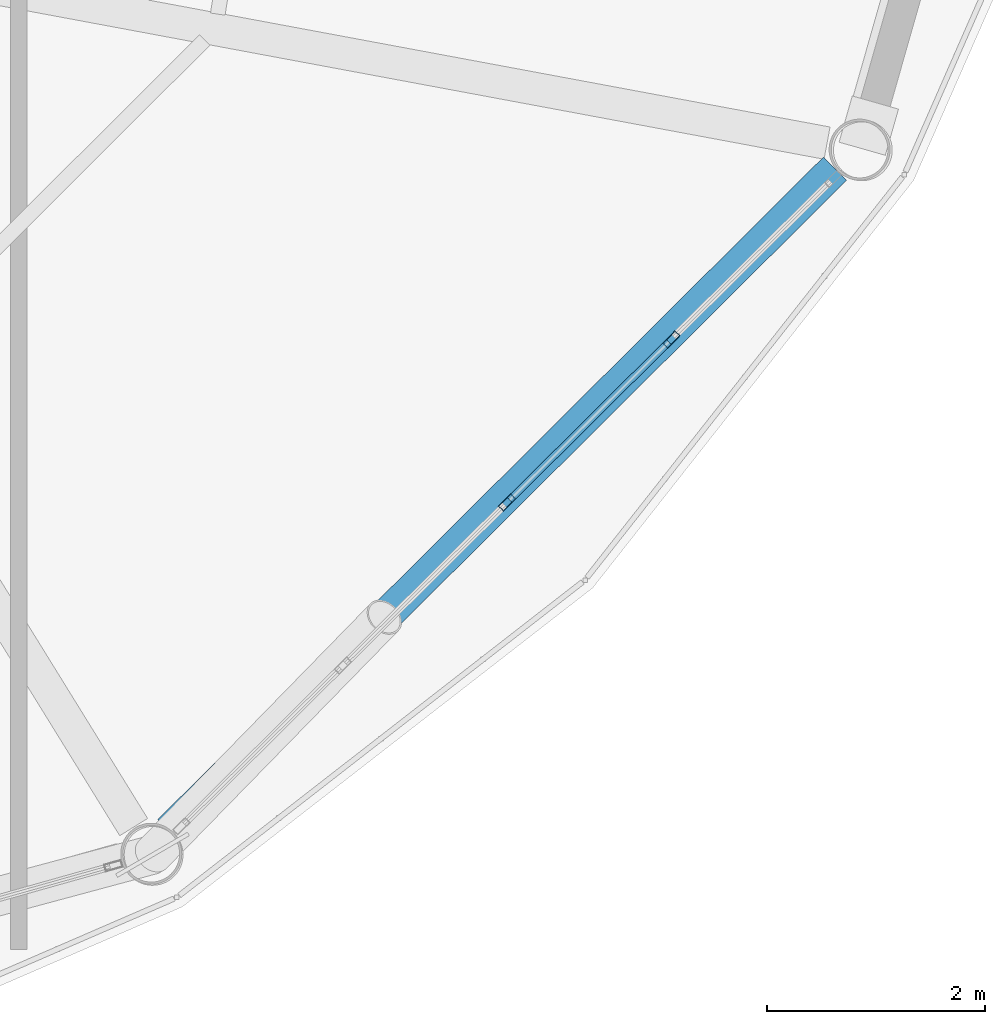
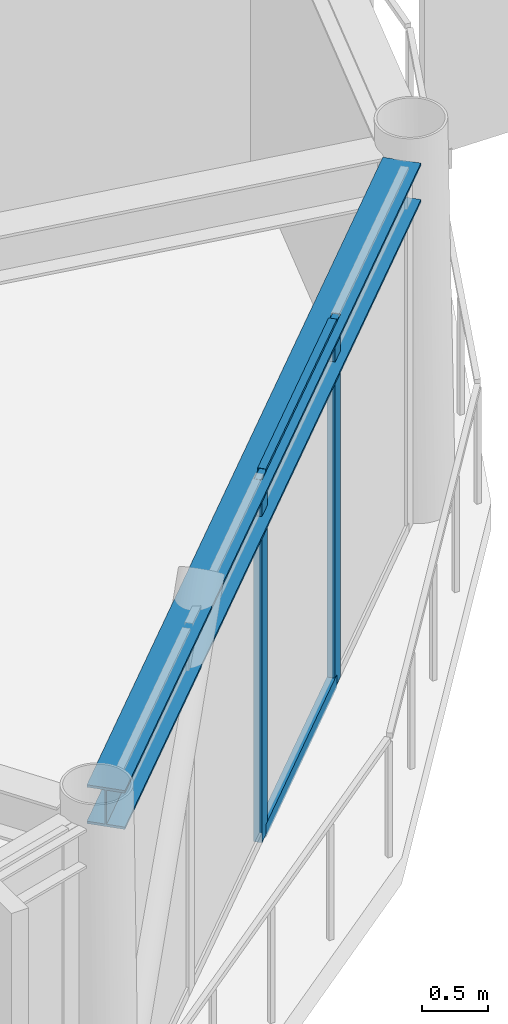
# One storey, part 8 of 24: 4 members, 1 beam, 1 element without a shape of its own.
"""IFC4 building model written with IfcOpenShell, lengths in metres."""

from ifc_helpers import new_model, si_unit, direction, frame, origin, origin_2d, place, context, subcontext, project, spatial, hollow_rectangle, i_section, extrude, material, layer, layer_set, material_profile, profile_set, type_object, element, aggregate, save


model = new_model("IFC4")

# Units and contexts
model_context = context("Model", 3, precision=1e-05, world=origin(), true_north=direction((0.0, 1.0)))
body_context = subcontext(model_context, "Body", "Model", "MODEL_VIEW")
ifc_project = project(units=[si_unit("LENGTHUNIT", "METRE"), si_unit("AREAUNIT", "SQUARE_METRE"), si_unit("VOLUMEUNIT", "CUBIC_METRE"), si_unit("PLANEANGLEUNIT", "RADIAN"), si_unit("MASSUNIT", "GRAM", prefix="KILO")], contexts=[model_context])

# Site, building, storey
site_placement = place(None, origin())
site = spatial("IfcSite", under=ifc_project, at=site_placement, CompositionType="ELEMENT")
building_placement = place(site_placement, origin())
building = spatial("IfcBuilding", under=site, at=building_placement, Name="Varnakorn Sky Granary", CompositionType="ELEMENT")
storey_placement = place(building_placement, frame((0.0, 0.0, 281.39990234375)))
storey = spatial("IfcBuildingStorey", under=building, at=storey_placement, Name="L72", CompositionType="ELEMENT", Elevation=281.39990234375)

# Beam
ifc_material_1 = material(Name="Steel S355JR", Category="steel")
ifc_material_profile_1 = material_profile(ifc_material_1, i_section(OverallWidth=0.300048828125, OverallDepth=0.360107421875, WebThickness=0.012451171875, FlangeThickness=0.0224609375, at=origin_2d()), Name="HE 360 B")
ifc_profile_set_1 = profile_set([ifc_material_profile_1], Name="Steel S355JR")
beam_type = type_object("IfcBeamType", Name="BM-SPD-Z5", PredefinedType="SPANDREL", material=ifc_profile_set_1)
beam_placement = place(storey_placement, frame((13.87890625, -15.0546875, 3.18017578125), z_axis=(0.708779192031, 0.705430405458, 0.0), x_axis=(-0.705430405458, 0.708779192031, 0.0)))
element("IfcBeam", 1, at=beam_placement, inside=storey, type_object=beam_type, Name="Perimeter Spandrel Ring Beam RB11 L72", PredefinedType="SPANDREL", context=body_context, shape_type="SweptSolid", body=[
    extrude(i_section(OverallWidth=0.300048828125, OverallDepth=0.360107421875, WebThickness=0.012451171875, FlangeThickness=0.0224609375, at=origin_2d()), origin(), (0.0, 0.0, 1.0), 8.602783203125),
])

# Curtain wall, members
ifc_material_2 = material(Name="Anodised Bronze Aluminium Alloy 6063-T6", Category="aluminium")
ifc_layer = layer(ifc_material_2, 0.159912109375, Name="Anodised Bronze Aluminium Alloy 6063-T6")
ifc_layer_set = layer_set([ifc_layer], Name="Anodised Bronze Aluminium Alloy 6063-T6")
curtain_wall_type = type_object("IfcCurtainWallType", Name="CW-OFF-1", PredefinedType="USERDEFINED", material=ifc_layer_set)
curtain_wall_placement = place(storey_placement, origin())
curtain_wall = element("IfcCurtainWall", 2, at=curtain_wall_placement, inside=storey, type_object=curtain_wall_type, Name="Unitised Curtain Wall CW6 CW-L72-B11", ObjectType="CURTAIN WALL", PredefinedType="USERDEFINED")
ifc_material_profile_2 = material_profile(ifc_material_2, hollow_rectangle(XDim=0.06494140625, YDim=0.159912109375, WallThickness=0.00341796875, at=origin_2d()), Name="ALU MULL 65x160")
ifc_profile_set_2 = profile_set([ifc_material_profile_2], Name="Anodised Bronze Aluminium Alloy 6063-T6")
member_type_1 = type_object("IfcMemberType", Name="CW-OFF-1-MULL", PredefinedType="MULLION", material=ifc_profile_set_2)
member_1_placement = place(storey_placement, frame((18.477294921875, -10.549560546875, 0.0), z_axis=(0.0, 0.0, 1.0), x_axis=(0.704761759046, -0.709444052048, 0.0)))
member_1 = element("IfcMember", 3, at=member_1_placement, type_object=member_type_1, Name="CW6 mullion 2", PredefinedType="MULLION", context=body_context, shape_type="SweptSolid", body=[
    extrude(hollow_rectangle(XDim=0.06494140625, YDim=0.159912109375, WallThickness=0.00341796875, at=origin_2d()), origin(), (0.0, 0.0, 1.0), 3.360107421875),
])
member_2_placement = place(storey_placement, frame((16.973388671875, -12.04345703125, 0.0), z_axis=(0.0, 0.0, 1.0), x_axis=(0.704761759046, -0.709444052048, 0.0)))
member_2 = element("IfcMember", 4, at=member_2_placement, type_object=member_type_1, Name="CW6 mullion 3", PredefinedType="MULLION", context=body_context, shape_type="SweptSolid", body=[
    extrude(hollow_rectangle(XDim=0.06494140625, YDim=0.159912109375, WallThickness=0.00341796875, at=origin_2d()), origin(), (0.0, 0.0, 1.0), 3.360107421875),
])
ifc_material_profile_3 = material_profile(ifc_material_2, hollow_rectangle(XDim=0.06494140625, YDim=0.1201171875, WallThickness=0.00341796875, at=origin_2d()), Name="ALU TRAN 65x120")
ifc_profile_set_3 = profile_set([ifc_material_profile_3], Name="Anodised Bronze Aluminium Alloy 6063-T6")
member_type_2 = type_object("IfcMemberType", Name="CW-OFF-1-TRAN", PredefinedType="USERDEFINED", material=ifc_profile_set_3)
member_3_placement = place(storey_placement, frame((18.454345703125, -10.572509765625, 0.03271484375), z_axis=(-0.709419797966, -0.704786173427, 0.0), x_axis=(0.704786173427, -0.709419797966, 0.0)))
member_3 = element("IfcMember", 5, at=member_3_placement, type_object=member_type_2, Name="CW6 transom 2.1", ObjectType="TRANSOM", PredefinedType="USERDEFINED", context=body_context, shape_type="SweptSolid", body=[
    extrude(hollow_rectangle(XDim=0.06494140625, YDim=0.1201171875, WallThickness=0.00341796875, at=origin_2d()), origin(), (0.0, 0.0, 1.0), 2.054931640625),
])
member_4_placement = place(storey_placement, frame((18.454345703125, -10.572509765625, 3.32763671875), z_axis=(-0.709419797966, -0.704786173427, 0.0), x_axis=(0.704786173427, -0.709419797966, 0.0)))
member_4 = element("IfcMember", 6, at=member_4_placement, type_object=member_type_2, Name="CW6 transom 2.2", ObjectType="TRANSOM", PredefinedType="USERDEFINED", context=body_context, shape_type="SweptSolid", body=[
    extrude(hollow_rectangle(XDim=0.06494140625, YDim=0.1201171875, WallThickness=0.00341796875, at=origin_2d()), origin(), (0.0, 0.0, 1.0), 2.054931640625),
])
aggregate(curtain_wall, [member_1, member_2, member_3, member_4])

save(model, "model.ifc")
